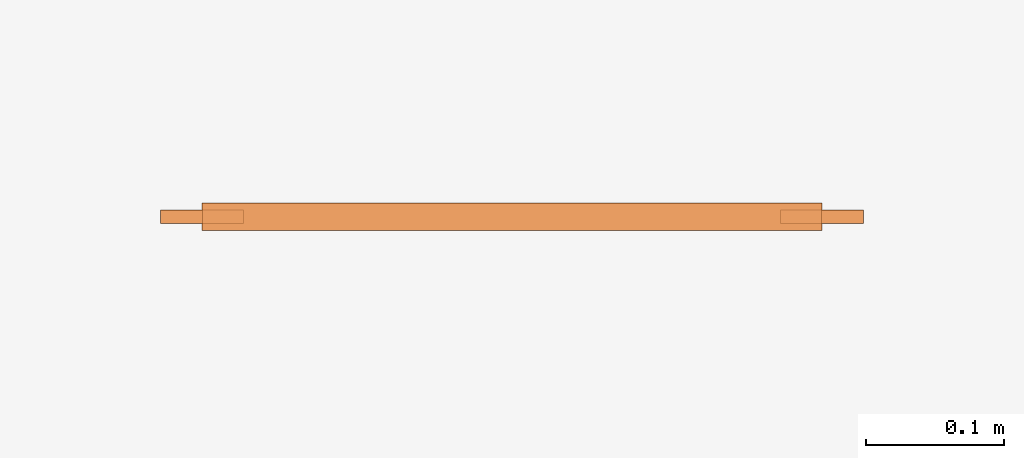
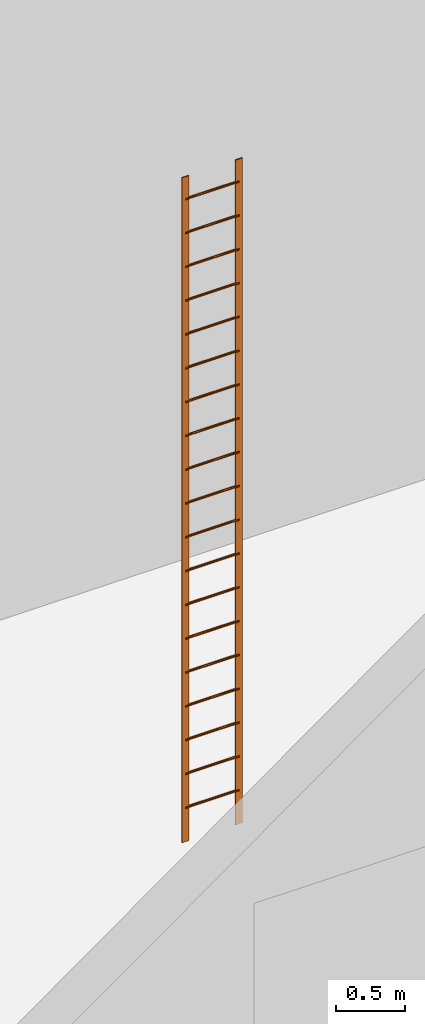
# One storey, part 25 of 25: 21 proxies.
"""IFC4 building model written with IfcOpenShell, lengths in metres."""

from ifc_helpers import new_model, si_unit, direction, frame, origin, origin_2d, place, context, subcontext, project, spatial, rectangle, circle, extrude, material, material_profile, profile_set, type_object, element, save


model = new_model("IFC4")

# Units and contexts
model_context = context("Model", 3, precision=1e-05, world=origin(), true_north=direction((0.0, 1.0)))
body_context = subcontext(model_context, "Body", "Model", "MODEL_VIEW")
ifc_project = project(units=[si_unit("LENGTHUNIT", "METRE"), si_unit("AREAUNIT", "SQUARE_METRE"), si_unit("VOLUMEUNIT", "CUBIC_METRE"), si_unit("PLANEANGLEUNIT", "RADIAN"), si_unit("MASSUNIT", "GRAM", prefix="KILO")], contexts=[model_context])

# Site, building, storey
site_placement = place(None, origin())
site = spatial("IfcSite", under=ifc_project, at=site_placement, CompositionType="ELEMENT")
building_placement = place(site_placement, origin())
building = spatial("IfcBuilding", under=site, at=building_placement, Name="Fenwick Lantern Interchange", CompositionType="ELEMENT")
storey_placement = place(building_placement, frame((0.0, 0.0, 307.800048828125)))
storey = spatial("IfcBuildingStorey", under=building, at=storey_placement, Name="L74", CompositionType="ELEMENT", Elevation=307.800048828125)

# Proxies
ifc_material = material(Name="Steel ASTM A992 Grade 50", Category="steel")
ifc_material_profile_1 = material_profile(ifc_material, rectangle(XDim=0.06005859375, YDim=0.010009765625, at=origin_2d()), Name="FB60X10")
ifc_profile_set_1 = profile_set([ifc_material_profile_1], Name="Steel ASTM A992 Grade 50")
building_element_proxy_type_1 = type_object("IfcBuildingElementProxyType", Name="ACCESS LADDER RAIL FB 60 X 10", PredefinedType="USERDEFINED", material=ifc_profile_set_1)
for number, where, z_axis, x_axis, name in (
    (1, (44.27490234375, 20.800048828125, 0.0), (0.0, 0.0, 1.0), (1.0, 0.0, 0.0), "Roof access ladder rail"),
    (2, (44.72509765625, 20.800048828125, 0.0), (0.0, 0.0, 1.0), (1.0, 0.0, 0.0), "Roof access ladder rail"),
):
    element("IfcBuildingElementProxy", number, at=place(storey_placement, frame(where, z_axis=z_axis, x_axis=x_axis)), inside=storey, type_object=building_element_proxy_type_1, Name=name, ObjectType="ACCESS LADDER RAIL", PredefinedType="USERDEFINED", context=body_context, shape_type="SweptSolid", body=[
        extrude(rectangle(XDim=0.06005859375, YDim=0.010009765625, at=origin_2d()), origin(), (0.0, 0.0, 1.0), 5.89990234375),
    ])
ifc_material_profile_2 = material_profile(ifc_material, circle(Radius=0.010009765625, at=origin_2d()), Name="RB20")
ifc_profile_set_2 = profile_set([ifc_material_profile_2], Name="Steel ASTM A992 Grade 50")
building_element_proxy_type_2 = type_object("IfcBuildingElementProxyType", Name="ACCESS LADDER RUNG 20 DIAMETER", PredefinedType="USERDEFINED", material=ifc_profile_set_2)
for number, where, z_axis, x_axis, name in (
    (3, (44.27490234375, 20.800048828125, 0.300048828125), (1.0, 0.0, 0.0), (0.0, 1.0, 0.0), "Roof access ladder rung"),
    (4, (44.27490234375, 20.800048828125, 0.599853515625), (1.0, 0.0, 0.0), (0.0, 1.0, 0.0), "Roof access ladder rung"),
    (5, (44.27490234375, 20.800048828125, 0.89990234375), (1.0, 0.0, 0.0), (0.0, 1.0, 0.0), "Roof access ladder rung"),
    (6, (44.27490234375, 20.800048828125, 1.199951171875), (1.0, 0.0, 0.0), (0.0, 1.0, 0.0), "Roof access ladder rung"),
    (7, (44.27490234375, 20.800048828125, 1.5), (1.0, 0.0, 0.0), (0.0, 1.0, 0.0), "Roof access ladder rung"),
    (8, (44.27490234375, 20.800048828125, 1.800048828125), (1.0, 0.0, 0.0), (0.0, 1.0, 0.0), "Roof access ladder rung"),
    (9, (44.27490234375, 20.800048828125, 2.099853515625), (1.0, 0.0, 0.0), (0.0, 1.0, 0.0), "Roof access ladder rung"),
    (10, (44.27490234375, 20.800048828125, 2.39990234375), (1.0, 0.0, 0.0), (0.0, 1.0, 0.0), "Roof access ladder rung"),
    (11, (44.27490234375, 20.800048828125, 2.699951171875), (1.0, 0.0, 0.0), (0.0, 1.0, 0.0), "Roof access ladder rung"),
    (12, (44.27490234375, 20.800048828125, 3.0), (1.0, 0.0, 0.0), (0.0, 1.0, 0.0), "Roof access ladder rung"),
    (13, (44.27490234375, 20.800048828125, 3.300048828125), (1.0, 0.0, 0.0), (0.0, 1.0, 0.0), "Roof access ladder rung"),
    (14, (44.27490234375, 20.800048828125, 3.599853515625), (1.0, 0.0, 0.0), (0.0, 1.0, 0.0), "Roof access ladder rung"),
    (15, (44.27490234375, 20.800048828125, 3.89990234375), (1.0, 0.0, 0.0), (0.0, 1.0, 0.0), "Roof access ladder rung"),
    (16, (44.27490234375, 20.800048828125, 4.199951171875), (1.0, 0.0, 0.0), (0.0, 1.0, 0.0), "Roof access ladder rung"),
    (17, (44.27490234375, 20.800048828125, 4.5), (1.0, 0.0, 0.0), (0.0, 1.0, 0.0), "Roof access ladder rung"),
    (18, (44.27490234375, 20.800048828125, 4.800048828125), (1.0, 0.0, 0.0), (0.0, 1.0, 0.0), "Roof access ladder rung"),
    (19, (44.27490234375, 20.800048828125, 5.099853515625), (1.0, 0.0, 0.0), (0.0, 1.0, 0.0), "Roof access ladder rung"),
    (20, (44.27490234375, 20.800048828125, 5.39990234375), (1.0, 0.0, 0.0), (0.0, 1.0, 0.0), "Roof access ladder rung"),
    (21, (44.27490234375, 20.800048828125, 5.699951171875), (1.0, 0.0, 0.0), (0.0, 1.0, 0.0), "Roof access ladder rung"),
):
    element("IfcBuildingElementProxy", number, at=place(storey_placement, frame(where, z_axis=z_axis, x_axis=x_axis)), inside=storey, type_object=building_element_proxy_type_2, Name=name, ObjectType="ACCESS LADDER RUNG", PredefinedType="USERDEFINED", context=body_context, shape_type="SweptSolid", body=[
        extrude(circle(Radius=0.010009765625, at=origin_2d()), origin(), (0.0, 0.0, 1.0), 0.4501953125),
    ])

save(model, "model.ifc")
